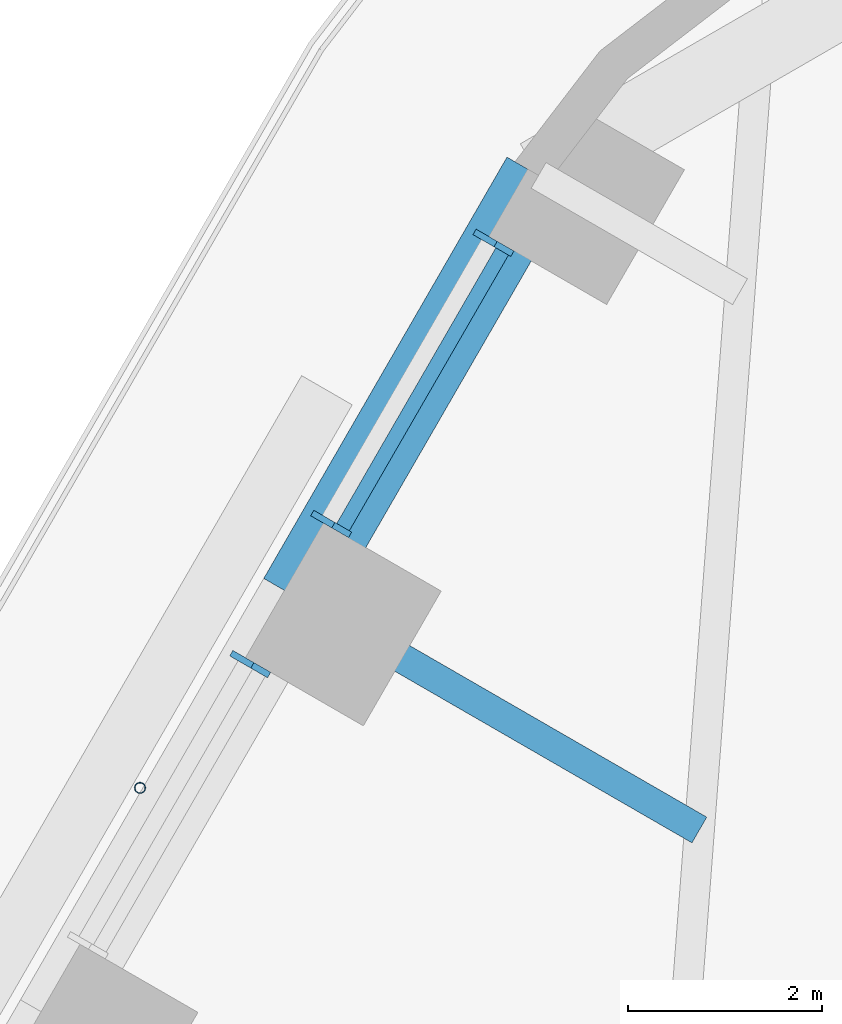
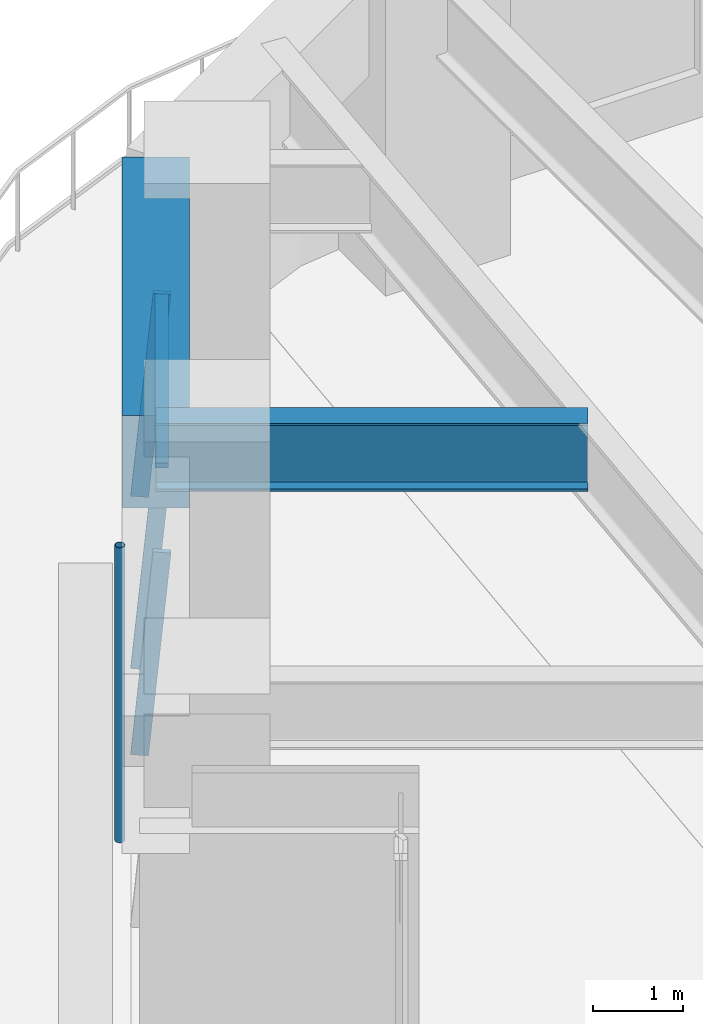
# One storey, part 9 of 24: 5 members, 2 beams, 2 elements without a shape of their own.
"""IFC4 building model written with IfcOpenShell, lengths in metres."""

from ifc_helpers import new_model, si_unit, direction, frame, origin, origin_2d, place, context, subcontext, project, spatial, rectangle, hollow_circle, i_section, extrude, material, material_profile, profile_set, type_object, element, aggregate, save


model = new_model("IFC4")

# Units and contexts
model_context = context("Model", 3, precision=1e-05, world=origin(), true_north=direction((0.0, 1.0)))
body_context = subcontext(model_context, "Body", "Model", "MODEL_VIEW")
ifc_project = project(units=[si_unit("LENGTHUNIT", "METRE"), si_unit("AREAUNIT", "SQUARE_METRE"), si_unit("VOLUMEUNIT", "CUBIC_METRE"), si_unit("PLANEANGLEUNIT", "RADIAN"), si_unit("MASSUNIT", "GRAM", prefix="KILO")], contexts=[model_context])

# Site, building, storey
site_placement = place(None, origin())
site = spatial("IfcSite", under=ifc_project, at=site_placement, CompositionType="ELEMENT")
building_placement = place(site_placement, origin())
building = spatial("IfcBuilding", under=site, at=building_placement, Name="Tarfa Lantern Tower", CompositionType="ELEMENT")
storey_placement = place(building_placement, frame((0.0, 0.0, 161.5)))
storey = spatial("IfcBuildingStorey", under=building, at=storey_placement, Name="L36", CompositionType="ELEMENT", Elevation=161.5)

# Curtain wall, members
ifc_material_1 = material(Name="Aluminium framed curtain wall", Category="aluminium")
curtain_wall_type = type_object("IfcCurtainWallType", Name="CW2 CANTED GLAZING MID ZONE 2750", PredefinedType="USERDEFINED", material=ifc_material_1)
curtain_wall_1_placement = place(storey_placement, origin())
curtain_wall_1 = element("IfcCurtainWall", 1, at=curtain_wall_1_placement, inside=storey, type_object=curtain_wall_type, Name="CW2 NW L36", ObjectType="CURTAIN WALL", PredefinedType="USERDEFINED")
ifc_material_2 = material(Name="Aluminium mullion", Category="aluminium")
ifc_material_profile_1 = material_profile(ifc_material_2, rectangle(XDim=0.06494140625, YDim=0.199951171875, at=origin_2d()), Name="AL MULLION 65x200")
ifc_profile_set_1 = profile_set([ifc_material_profile_1], Name="Aluminium mullion")
member_type_1 = type_object("IfcMemberType", Name="CWM1 MULLION 65x200", PredefinedType="MULLION", material=ifc_profile_set_1)
member_1_placement = place(storey_placement, frame((-20.10400390625, 27.97900390625, 0.0), z_axis=(0.078422950161, -0.045267813396, 0.995891894715), x_axis=(0.499919672301, 0.866071776036, 0.0)))
member_1 = element("IfcMember", 2, at=member_1_placement, type_object=member_type_1, Name="CW2 mullion 1", PredefinedType="MULLION", context=body_context, shape_type="SweptSolid", body=[
    extrude(rectangle(XDim=0.06494140625, YDim=0.199951171875, at=origin_2d()), origin(), (0.0, 0.0, 1.0), 2.76123046875),
])
member_2_placement = place(storey_placement, frame((-21.773193359375, 25.087646484375, 0.0), z_axis=(0.078422950161, -0.045267813396, 0.995891894715), x_axis=(0.499919672301, 0.866071776036, 0.0)))
member_2 = element("IfcMember", 3, at=member_2_placement, type_object=member_type_1, Name="CW2 mullion 2", PredefinedType="MULLION", context=body_context, shape_type="SweptSolid", body=[
    extrude(rectangle(XDim=0.06494140625, YDim=0.199951171875, at=origin_2d()), origin(), (0.0, 0.0, 1.0), 2.76123046875),
])

# Curtain wall, member
curtain_wall_2_placement = place(storey_placement, origin())
curtain_wall_2 = element("IfcCurtainWall", 4, at=curtain_wall_2_placement, inside=storey, type_object=curtain_wall_type, Name="CW2 NW L36", ObjectType="CURTAIN WALL", PredefinedType="USERDEFINED")
member_3_placement = place(storey_placement, frame((-22.605712890625, 23.645751953125, 0.0), z_axis=(0.078422950161, -0.045267813396, 0.995891894715), x_axis=(0.499919672301, 0.866071776036, 0.0)))
member_3 = element("IfcMember", 5, at=member_3_placement, type_object=member_type_1, Name="CW2 mullion 1", PredefinedType="MULLION", context=body_context, shape_type="SweptSolid", body=[
    extrude(rectangle(XDim=0.06494140625, YDim=0.199951171875, at=origin_2d()), origin(), (0.0, 0.0, 1.0), 2.76123046875),
])
aggregate(curtain_wall_2, [member_3])

# Member
ifc_material_3 = material(Name="Aluminium transom", Category="aluminium")
ifc_material_profile_2 = material_profile(ifc_material_3, rectangle(XDim=0.14990234375, YDim=0.06494140625, at=origin_2d()), Name="AL TRANSOM 150x65")
ifc_profile_set_2 = profile_set([ifc_material_profile_2], Name="Aluminium transom")
member_type_2 = type_object("IfcMemberType", Name="CWT1 TRANSOM 150x65", PredefinedType="USERDEFINED", material=ifc_profile_set_2)
member_4_placement = place(storey_placement, frame((-19.90625, 27.827392578125, 2.717529296875), z_axis=(-0.499957005835, -0.866050225054, 0.0), x_axis=(0.866050225054, -0.499957005835, 0.0)))
member_4 = element("IfcMember", 6, at=member_4_placement, type_object=member_type_2, Name="CW2 transom 1.2", ObjectType="TRANSOM", PredefinedType="USERDEFINED", context=body_context, shape_type="SweptSolid", body=[
    extrude(rectangle(XDim=0.14990234375, YDim=0.06494140625, at=origin_2d()), origin(), (0.0, 0.0, 1.0), 3.273681640625),
])

aggregate(curtain_wall_1, [member_1, member_2, member_4])

# Beam
ifc_material_4 = material(Name="Concrete C80/95", Category="concrete")
ifc_material_profile_3 = material_profile(ifc_material_4, rectangle(XDim=0.75, YDim=1.25, at=origin_2d()), Name="RC 750x1250")
ifc_profile_set_3 = profile_set([ifc_material_profile_3], Name="Concrete C80/95")
beam_type_1 = type_object("IfcBeamType", Name="EB2 RC 750x1250", PredefinedType="SPANDREL", material=ifc_profile_set_3)
beam_1_placement = place(storey_placement, frame((-19.53173828125, 28.610107421875, 3.375), z_axis=(-0.500001197378, -0.866024712477, 0.0), x_axis=(0.866024712477, -0.500001197378, 0.0)))
element("IfcBeam", 7, at=beam_1_placement, inside=storey, type_object=beam_type_1, Name="Edge beam NW0", PredefinedType="SPANDREL", context=body_context, shape_type="SweptSolid", body=[
    extrude(rectangle(XDim=0.75, YDim=1.25, at=origin_2d()), origin(), (0.0, 0.0, 1.0), 5.00390625),
])

# Member
ifc_material_5 = material(Name="Steel S355", Category="steel")
ifc_material_profile_4 = material_profile(ifc_material_5, hollow_circle(Radius=0.05712890625, WallThickness=0.00634765625, at=origin_2d()), Name="CHS114.3x6.3")
ifc_profile_set_4 = profile_set([ifc_material_profile_4], Name="Steel S355")
member_type_3 = type_object("IfcMemberType", Name="TR1 GREEN WALL TRELLIS CHS114.3x6.3", PredefinedType="USERDEFINED", material=ifc_profile_set_4)
member_5_placement = place(storey_placement, frame((-23.630859375, 22.31005859375, 0.0), z_axis=(0.0, 0.0, 1.0), x_axis=(1.0, 0.0, 0.0)))
element("IfcMember", 8, at=member_5_placement, inside=storey, type_object=member_type_3, Name="Trellis post NW 1", ObjectType="TRELLIS", PredefinedType="USERDEFINED", context=body_context, shape_type="SweptSolid", body=[
    extrude(hollow_circle(Radius=0.05712890625, WallThickness=0.00634765625, at=origin_2d()), origin(), (0.0, 0.0, 1.0), 4.0),
])

# Beam
ifc_material_6 = material(Name="Steel S460M", Category="steel")
ifc_material_profile_5 = material_profile(ifc_material_6, i_section(OverallWidth=0.305419921875, OverallDepth=0.91845703125, WebThickness=0.017333984375, FlangeThickness=0.02783203125, FilletRadius=0.01904296875, at=origin_2d()), Name="UB914x305x253")
ifc_profile_set_5 = profile_set([ifc_material_profile_5], Name="Steel S460M")
beam_type_2 = type_object("IfcBeamType", Name="UB914x305x253", PredefinedType="BEAM", material=ifc_profile_set_5)
beam_2_placement = place(storey_placement, frame((-22.03369140625, 24.276611328125, 3.540771484375), z_axis=(0.866030550462, -0.499991085587, 0.0), x_axis=(0.499991085587, 0.866030550462, 0.0)))
element("IfcBeam", 9, at=beam_2_placement, inside=storey, type_object=beam_type_2, Name="Floor beam NW1", PredefinedType="BEAM", context=body_context, shape_type="SweptSolid", body=[
    extrude(i_section(OverallWidth=0.305419921875, OverallDepth=0.91845703125, WebThickness=0.017333984375, FlangeThickness=0.02783203125, FilletRadius=0.01904296875, at=origin_2d()), origin(), (0.0, 0.0, 1.0), 4.798828125),
])

save(model, "model.ifc")
